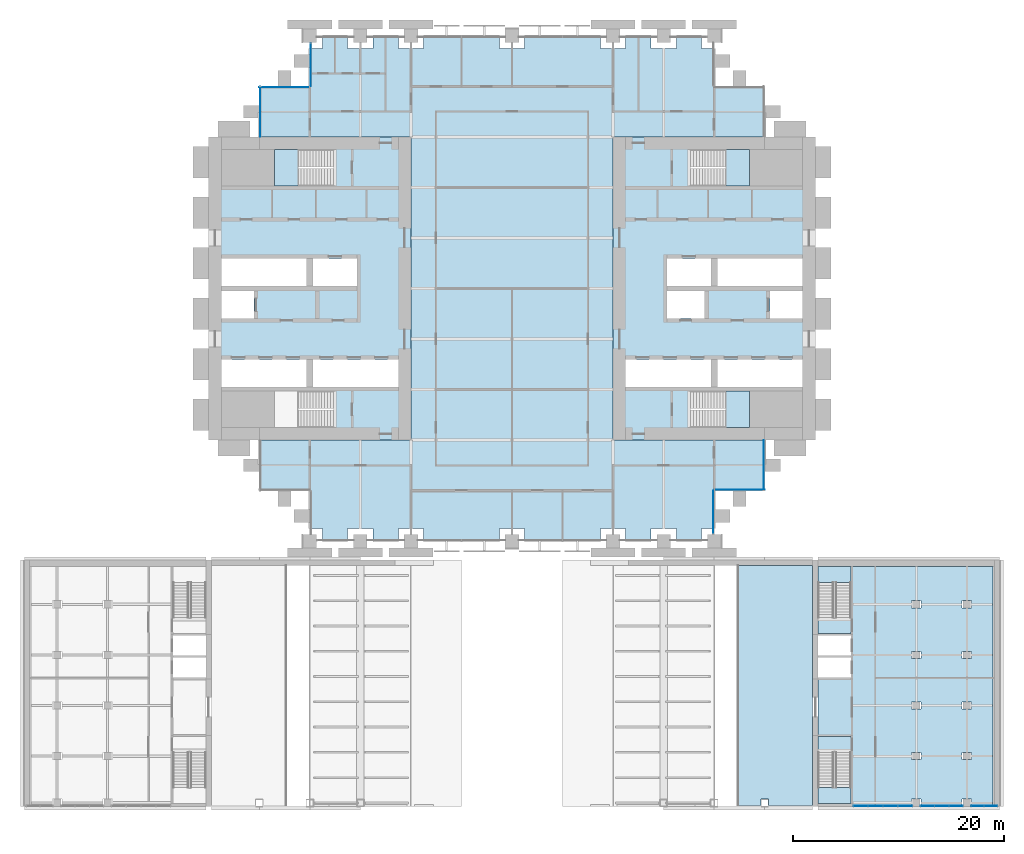
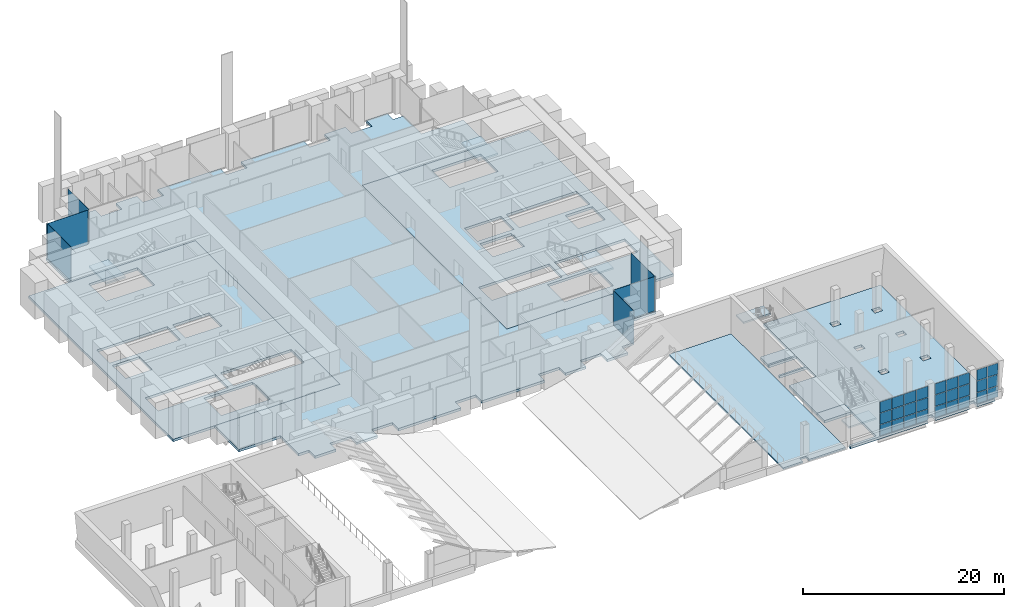
# One storey, part 18 of 32: 33 plates, 12 slabs, 14 elements without a shape of their own.
"""IFC4 building model written with IfcOpenShell, lengths in metres."""

from ifc_helpers import new_model, si_unit, direction, frame, origin, origin_2d, place, context, subcontext, project, spatial, polyline, rectangle, outline, extrude, material, layer, layer_set, type_object, element, aggregate, save


model = new_model("IFC4")

# Units and contexts
model_context = context("Model", 3, precision=1e-05, world=origin(), true_north=direction((0.0, 1.0)))
body_context = subcontext(model_context, "Body", "Model", "MODEL_VIEW")
ifc_project = project(units=[si_unit("LENGTHUNIT", "METRE"), si_unit("AREAUNIT", "SQUARE_METRE"), si_unit("VOLUMEUNIT", "CUBIC_METRE"), si_unit("PLANEANGLEUNIT", "RADIAN"), si_unit("MASSUNIT", "GRAM", prefix="KILO")], contexts=[model_context])

# Site, building, storey
site_placement = place(None, origin())
site = spatial("IfcSite", under=ifc_project, at=site_placement, CompositionType="ELEMENT")
building_placement = place(site_placement, origin())
building = spatial("IfcBuilding", under=site, at=building_placement, Name="Baori Bourse Tower", CompositionType="ELEMENT")
storey_placement = place(building_placement, frame((0.0, 0.0, 12.60009765625)))
storey = spatial("IfcBuildingStorey", under=building, at=storey_placement, Name="L01", CompositionType="ELEMENT", Elevation=12.60009765625)

# Curtain wall, plate
ifc_material_1 = material(Name="Pale anodised aluminium", Category="aluminium")
curtain_wall_type_1 = type_object("IfcCurtainWallType", Name="CW2 Curtain wall", PredefinedType="NOTDEFINED", material=ifc_material_1)
curtain_wall_1_placement = place(storey_placement, origin())
curtain_wall_1 = element("IfcCurtainWall", 1, at=curtain_wall_1_placement, inside=storey, type_object=curtain_wall_type_1, Name="Curtain wall CW2 L01 5", PredefinedType="NOTDEFINED")
ifc_material_2 = material(Name="Clear glass", Category="glass")
ifc_layer_1 = layer(ifc_material_2, 0.030029296875)
ifc_layer_set_1 = layer_set([ifc_layer_1], Name="CW2 Curtain wall panel")
plate_type_1 = type_object("IfcPlateType", Name="CW2 Curtain wall panel", PredefinedType="CURTAIN_PANEL", material=ifc_layer_set_1)
plate_1_placement = place(storey_placement, frame((9.68994140625, 45.24755859375, 0.06982421875), z_axis=(0.0, 0.0, 1.0), x_axis=(0.0, -1.0, 0.0)))
plate_1 = element("IfcPlate", 2, at=plate_1_placement, type_object=plate_type_1, Name="Curtain wall CW2 panel", PredefinedType="CURTAIN_PANEL", context=body_context, shape_type="SweptSolid", body=[
    extrude(rectangle(XDim=4.094970703125, YDim=0.030029296875, at=origin_2d()), origin(), (0.0, 0.0, 1.0), 4.169921875),
])
aggregate(curtain_wall_1, [plate_1])

curtain_wall_2_placement = place(storey_placement, origin())
curtain_wall_2 = element("IfcCurtainWall", 3, at=curtain_wall_2_placement, inside=storey, type_object=curtain_wall_type_1, Name="Curtain wall CW2 L01 6", PredefinedType="NOTDEFINED")
plate_2_placement = place(storey_placement, frame((7.172607421875, 43.110107421875, 0.06982421875), z_axis=(0.0, 0.0, 1.0), x_axis=(-1.0, 0.0, 0.0)))
plate_2 = element("IfcPlate", 4, at=plate_2_placement, type_object=plate_type_1, Name="Curtain wall CW2 panel", PredefinedType="CURTAIN_PANEL", context=body_context, shape_type="SweptSolid", body=[
    extrude(rectangle(XDim=4.7451171875, YDim=0.030029296875, at=origin_2d()), origin(), (0.0, 0.0, 1.0), 4.169921875),
])
aggregate(curtain_wall_2, [plate_2])

curtain_wall_3_placement = place(storey_placement, origin())
curtain_wall_3 = element("IfcCurtainWall", 5, at=curtain_wall_3_placement, inside=storey, type_object=curtain_wall_type_1, Name="Curtain wall CW2 L01 7", PredefinedType="NOTDEFINED")
plate_3_placement = place(storey_placement, frame((4.889892578125, 40.7724609375, 0.06982421875), z_axis=(0.0, 0.0, 1.0), x_axis=(0.0, -1.0, 0.0)))
plate_3 = element("IfcPlate", 6, at=plate_3_placement, type_object=plate_type_1, Name="Curtain wall CW2 panel", PredefinedType="CURTAIN_PANEL", context=body_context, shape_type="SweptSolid", body=[
    extrude(rectangle(XDim=4.7451171875, YDim=0.030029296875, at=origin_2d()), origin(), (0.0, 0.0, 1.0), 4.169921875),
])
aggregate(curtain_wall_3, [plate_3])

curtain_wall_4_placement = place(storey_placement, origin())
curtain_wall_4 = element("IfcCurtainWall", 7, at=curtain_wall_4_placement, inside=storey, type_object=curtain_wall_type_1, Name="Curtain wall CW2 L01 12", PredefinedType="NOTDEFINED")
plate_4_placement = place(storey_placement, frame((47.909912109375, 2.75244140625, 0.06982421875), z_axis=(0.0, 0.0, 1.0), x_axis=(0.0, 1.0, 0.0)))
plate_4 = element("IfcPlate", 8, at=plate_4_placement, type_object=plate_type_1, Name="Curtain wall CW2 panel", PredefinedType="CURTAIN_PANEL", context=body_context, shape_type="SweptSolid", body=[
    extrude(rectangle(XDim=4.094970703125, YDim=0.030029296875, at=origin_2d()), origin(), (0.0, 0.0, 1.0), 4.169921875),
])
aggregate(curtain_wall_4, [plate_4])

curtain_wall_5_placement = place(storey_placement, origin())
curtain_wall_5 = element("IfcCurtainWall", 9, at=curtain_wall_5_placement, inside=storey, type_object=curtain_wall_type_1, Name="Curtain wall CW2 L01 13", PredefinedType="NOTDEFINED")
plate_5_placement = place(storey_placement, frame((50.427490234375, 4.889892578125, 0.06982421875), z_axis=(0.0, 0.0, 1.0), x_axis=(1.0, 0.0, 0.0)))
plate_5 = element("IfcPlate", 10, at=plate_5_placement, type_object=plate_type_1, Name="Curtain wall CW2 panel", PredefinedType="CURTAIN_PANEL", context=body_context, shape_type="SweptSolid", body=[
    extrude(rectangle(XDim=4.7451171875, YDim=0.030029296875, at=origin_2d()), origin(), (0.0, 0.0, 1.0), 4.169921875),
])
aggregate(curtain_wall_5, [plate_5])

curtain_wall_6_placement = place(storey_placement, origin())
curtain_wall_6 = element("IfcCurtainWall", 11, at=curtain_wall_6_placement, inside=storey, type_object=curtain_wall_type_1, Name="Curtain wall CW2 L01 14", PredefinedType="NOTDEFINED")
plate_6_placement = place(storey_placement, frame((52.7099609375, 7.2275390625, 0.06982421875), z_axis=(0.0, 0.0, 1.0), x_axis=(0.0, 1.0, 0.0)))
plate_6 = element("IfcPlate", 12, at=plate_6_placement, type_object=plate_type_1, Name="Curtain wall CW2 panel", PredefinedType="CURTAIN_PANEL", context=body_context, shape_type="SweptSolid", body=[
    extrude(rectangle(XDim=4.7451171875, YDim=0.030029296875, at=origin_2d()), origin(), (0.0, 0.0, 1.0), 4.169921875),
])
aggregate(curtain_wall_6, [plate_6])

# Slabs
ifc_material_3 = material(Name="Concrete f'c 50 MPa", Category="concrete")
ifc_layer_2 = layer(ifc_material_3, 0.300048828125)
ifc_layer_set_2 = layer_set([ifc_layer_2], Name="Core slab 300")
slab_type_1 = type_object("IfcSlabType", Name="Core slab 300", PredefinedType="FLOOR", material=ifc_layer_set_2)
slab_1_placement = place(storey_placement, frame((0.0, 0.0, -0.300048828125)))
element("IfcSlab", 13, at=slab_1_placement, inside=storey, type_object=slab_type_1, Name="Core floor slab W01", PredefinedType="FLOOR", context=body_context, shape_type="SweptSolid", body=[
    extrude(outline(polyline([(19.199951171875, 38.39990234375), (0.0, 38.39990234375), (0.0, 9.60009765625), (19.199951171875, 9.60009765625), (19.199951171875, 38.39990234375)]), holes=[polyline([(9.89990234375, 17.25), (18.0, 17.25), (18.0, 14.64990234375), (9.89990234375, 14.64990234375), (9.89990234375, 17.25)]), polyline([(9.89990234375, 24.25), (9.89990234375, 26.85009765625), (14.10009765625, 26.85009765625), (14.10009765625, 24.25), (9.89990234375, 24.25)]), polyline([(6.25, 14.25), (11.84912109375, 14.25), (11.84912109375, 10.800048828125), (6.25, 10.800048828125), (6.25, 14.25)]), polyline([(11.84912109375, 37.199951171875), (11.84912109375, 33.75), (6.25, 33.75), (6.25, 37.199951171875), (11.84912109375, 37.199951171875)]), polyline([(1.199951171875, 14.64990234375), (1.199951171875, 17.25), (9.300048828125, 17.25), (9.300048828125, 14.64990234375), (1.199951171875, 14.64990234375)]), polyline([(9.300048828125, 26.85009765625), (9.300048828125, 24.25), (1.199951171875, 24.25), (1.199951171875, 26.85009765625), (9.300048828125, 26.85009765625)]), polyline([(4.300048828125, 21.14990234375), (1.199951171875, 21.14990234375), (1.199951171875, 23.75), (4.300048828125, 23.75), (4.300048828125, 21.14990234375)])]), origin(), (0.0, 0.0, 1.0), 0.300048828125),
])
slab_2_placement = place(storey_placement, frame((0.0, 0.0, -0.300048828125)))
element("IfcSlab", 14, at=slab_2_placement, inside=storey, type_object=slab_type_1, Name="Core floor slab E01", PredefinedType="FLOOR", context=body_context, shape_type="SweptSolid", body=[
    extrude(outline(polyline([(38.39990234375, 9.60009765625), (57.60009765625, 9.60009765625), (57.60009765625, 38.39990234375), (38.39990234375, 38.39990234375), (38.39990234375, 9.60009765625)]), holes=[polyline([(48.300048828125, 14.64990234375), (48.300048828125, 17.25), (56.39990234375, 17.25), (56.39990234375, 14.64990234375), (48.300048828125, 14.64990234375)]), polyline([(56.39990234375, 21.14990234375), (53.300048828125, 21.14990234375), (53.300048828125, 23.75), (56.39990234375, 23.75), (56.39990234375, 21.14990234375)]), polyline([(56.39990234375, 26.85009765625), (56.39990234375, 24.25), (48.300048828125, 24.25), (48.300048828125, 26.85009765625), (56.39990234375, 26.85009765625)]), polyline([(45.750732421875, 14.25), (51.35009765625, 14.25), (51.35009765625, 10.800048828125), (45.750732421875, 10.800048828125), (45.750732421875, 14.25)]), polyline([(51.35009765625, 37.199951171875), (51.35009765625, 33.75), (45.750732421875, 33.75), (45.750732421875, 37.199951171875), (51.35009765625, 37.199951171875)]), polyline([(39.60009765625, 17.25), (47.699951171875, 17.25), (47.699951171875, 14.64990234375), (39.60009765625, 14.64990234375), (39.60009765625, 17.25)]), polyline([(43.5, 24.25), (43.5, 26.85009765625), (47.699951171875, 26.85009765625), (47.699951171875, 24.25), (43.5, 24.25)]), polyline([(43.5, 23.75), (47.10009765625, 23.75), (47.10009765625, 21.14990234375), (43.5, 21.14990234375), (43.5, 23.75)])]), origin(), (0.0, 0.0, 1.0), 0.300048828125),
])

# Stair, slab
ifc_material_4 = material(Name="Concrete f'c 50 MPa", Category="concrete")
stair_type_1 = type_object("IfcStairType", Name="Core stair", PredefinedType="HALF_TURN_STAIR", material=ifc_material_4)
stair_1_placement = place(storey_placement, origin())
stair_1 = element("IfcStair", 15, at=stair_1_placement, inside=storey, type_object=stair_type_1, Name="L01 Stair WB", PredefinedType="HALF_TURN_STAIR")
ifc_material_5 = material(Name="Concrete f'c 50 MPa", Category="concrete")
slab_type_2 = type_object("IfcSlabType", Name="Core stair landing", PredefinedType="LANDING", material=ifc_material_5)
slab_3_placement = place(storey_placement, frame((0.0, 0.0, 2.0)))
slab_3 = element("IfcSlab", 16, at=slab_3_placement, type_object=slab_type_2, Name="ST2 landing 1", PredefinedType="LANDING", context=body_context, shape_type="SweptSolid", body=[
    extrude(outline(polyline([(8.489990234375, 37.199951171875), (6.25, 37.199951171875), (6.25, 33.75), (8.489990234375, 33.75), (8.489990234375, 37.199951171875)])), origin(), (0.0, 0.0, 1.0), 0.199951171875),
])
aggregate(stair_1, [slab_3])

stair_2_placement = place(storey_placement, origin())
stair_2 = element("IfcStair", 17, at=stair_2_placement, inside=storey, type_object=stair_type_1, Name="L01 Stair EA", PredefinedType="HALF_TURN_STAIR")
slab_4_placement = place(storey_placement, frame((0.0, 0.0, 2.0)))
slab_4 = element("IfcSlab", 18, at=slab_4_placement, type_object=slab_type_2, Name="ST3 landing 1", PredefinedType="LANDING", context=body_context, shape_type="SweptSolid", body=[
    extrude(outline(polyline([(49.110107421875, 10.800048828125), (51.35009765625, 10.800048828125), (51.35009765625, 14.25), (49.110107421875, 14.25), (49.110107421875, 10.800048828125)])), origin(), (0.0, 0.0, 1.0), 0.199951171875),
])
aggregate(stair_2, [slab_4])

stair_3_placement = place(storey_placement, origin())
stair_3 = element("IfcStair", 19, at=stair_3_placement, inside=storey, type_object=stair_type_1, Name="L01 Stair EB", PredefinedType="HALF_TURN_STAIR")
slab_5_placement = place(storey_placement, frame((0.0, 0.0, 2.0)))
slab_5 = element("IfcSlab", 20, at=slab_5_placement, type_object=slab_type_2, Name="ST4 landing 1", PredefinedType="LANDING", context=body_context, shape_type="SweptSolid", body=[
    extrude(outline(polyline([(49.110107421875, 33.75), (51.35009765625, 33.75), (51.35009765625, 37.199951171875), (49.110107421875, 37.199951171875), (49.110107421875, 33.75)])), origin(), (0.0, 0.0, 1.0), 0.199951171875),
])
aggregate(stair_3, [slab_5])

ifc_material_6 = material(Name="Concrete f'c 40 MPa", Category="concrete")
stair_type_2 = type_object("IfcStairType", Name="Wing exit stair 1500", PredefinedType="HALF_TURN_STAIR", material=ifc_material_6)
stair_4_placement = place(storey_placement, origin())
stair_4 = element("IfcStair", 21, at=stair_4_placement, inside=storey, type_object=stair_type_2, Name="L01 Exit stair EA", PredefinedType="HALF_TURN_STAIR")
ifc_material_7 = material(Name="Concrete f'c 40 MPa", Category="concrete")
ifc_layer_3 = layer(ifc_material_7, 0.300048828125)
ifc_layer_set_3 = layer_set([ifc_layer_3], Name="Exit stair arrival landing 300")
slab_type_3 = type_object("IfcSlabType", Name="Exit stair arrival landing 300", PredefinedType="LANDING", material=ifc_layer_set_3)
slab_6_placement = place(storey_placement, frame((0.0, 0.0, -0.300048828125)))
slab_6 = element("IfcSlab", 22, at=slab_6_placement, type_object=slab_type_3, Name="L01 exit stair EA arrival landing", PredefinedType="LANDING", context=body_context, shape_type="SweptSolid", body=[
    extrude(outline(polyline([(61.0, -7.258544921875), (57.85009765625, -7.258544921875), (57.85009765625, -8.760009765625), (61.0, -8.760009765625), (61.0, -7.258544921875)])), origin(), (0.0, 0.0, 1.0), 0.300048828125),
])

stair_5_placement = place(storey_placement, origin())
stair_5 = element("IfcStair", 23, at=stair_5_placement, inside=storey, type_object=stair_type_2, Name="L01 Exit stair EB", PredefinedType="HALF_TURN_STAIR")
slab_7_placement = place(storey_placement, frame((0.0, 0.0, -0.300048828125)))
slab_7 = element("IfcSlab", 24, at=slab_7_placement, type_object=slab_type_3, Name="L01 exit stair EB arrival landing", PredefinedType="LANDING", context=body_context, shape_type="SweptSolid", body=[
    extrude(outline(polyline([(57.85009765625, -20.04150390625), (61.0, -20.04150390625), (61.0, -18.5400390625), (57.85009765625, -18.5400390625), (57.85009765625, -20.04150390625)])), origin(), (0.0, 0.0, 1.0), 0.300048828125),
])

# Slabs
ifc_material_8 = material(Name="Concrete f'c 40 MPa", Category="concrete")
ifc_layer_4 = layer(ifc_material_8, 0.300048828125)
ifc_layer_set_4 = layer_set([ifc_layer_4], Name="Floor slab 300")
slab_type_4 = type_object("IfcSlabType", Name="Floor slab 300", PredefinedType="FLOOR", material=ifc_layer_set_4)
slab_8_placement = place(storey_placement, frame((0.0, 0.0, -0.300048828125)))
element("IfcSlab", 25, at=slab_8_placement, inside=storey, type_object=slab_type_4, Name="Floor slab L01", PredefinedType="FLOOR", context=body_context, shape_type="SweptSolid", body=[
    extrude(outline(polyline([(9.60009765625, 4.800048828125), (4.800048828125, 4.800048828125), (4.800048828125, 9.60009765625), (19.199951171875, 9.60009765625), (19.199951171875, 38.39990234375), (4.800048828125, 38.39990234375), (4.800048828125, 43.199951171875), (9.60009765625, 43.199951171875), (9.60009765625, 46.800048828125), (10.800048828125, 46.800048828125), (10.800048828125, 48.0), (13.199951171875, 48.0), (13.199951171875, 46.800048828125), (15.60009765625, 46.800048828125), (15.60009765625, 48.0), (18.0, 48.0), (18.0, 46.800048828125), (20.39990234375, 46.800048828125), (20.39990234375, 48.0), (27.60009765625, 48.0), (27.60009765625, 46.800048828125), (30.0, 46.800048828125), (30.0, 48.0), (37.199951171875, 48.0), (37.199951171875, 46.800048828125), (39.60009765625, 46.800048828125), (39.60009765625, 48.0), (42.0, 48.0), (42.0, 46.800048828125), (44.39990234375, 46.800048828125), (44.39990234375, 48.0), (46.800048828125, 48.0), (46.800048828125, 46.800048828125), (48.0, 46.800048828125), (48.0, 43.199951171875), (52.800048828125, 43.199951171875), (52.800048828125, 38.39990234375), (38.39990234375, 38.39990234375), (38.39990234375, 9.60009765625), (52.800048828125, 9.60009765625), (52.800048828125, 4.800048828125), (48.0, 4.800048828125), (48.0, 1.199951171875), (46.800048828125, 1.199951171875), (46.800048828125, 0.0), (44.39990234375, 0.0), (44.39990234375, 1.199951171875), (42.0, 1.199951171875), (42.0, 0.0), (39.60009765625, 0.0), (39.60009765625, 1.199951171875), (37.199951171875, 1.199951171875), (37.199951171875, 0.0), (30.0, 0.0), (30.0, 1.199951171875), (27.60009765625, 1.199951171875), (27.60009765625, 0.0), (20.39990234375, 0.0), (20.39990234375, 1.199951171875), (18.0, 1.199951171875), (18.0, 0.0), (15.60009765625, 0.0), (15.60009765625, 1.199951171875), (13.199951171875, 1.199951171875), (13.199951171875, 0.0), (10.800048828125, 0.0), (10.800048828125, 1.199951171875), (9.60009765625, 1.199951171875), (9.60009765625, 4.800048828125)])), origin(), (0.0, 0.0, 1.0), 0.300048828125),
])
ifc_material_9 = material(Name="Concrete f'c 40 MPa", Category="concrete")
ifc_layer_5 = layer(ifc_material_9, 0.199951171875)
ifc_layer_set_5 = layer_set([ifc_layer_5], Name="Gallery slab 200")
slab_type_5 = type_object("IfcSlabType", Name="Gallery slab 200", PredefinedType="FLOOR", material=ifc_layer_set_5)
slab_9_placement = place(storey_placement, frame((0.0, 0.0, -0.2001953125)))
element("IfcSlab", 26, at=slab_9_placement, inside=storey, type_object=slab_type_5, Name="wing/L01/gallery/002", PredefinedType="FLOOR", context=body_context, shape_type="SweptSolid", body=[
    extrude(outline(polyline([(57.35009765625, -25.10009765625), (57.35009765625, -2.300048828125), (50.199951171875, -2.300048828125), (50.199951171875, -25.10009765625), (52.449951171875, -25.10009765625), (52.449951171875, -24.5), (53.14990234375, -24.5), (53.14990234375, -25.10009765625), (57.35009765625, -25.10009765625)])), origin(), (0.0, 0.0, 1.0), 0.2001953125),
])
ifc_material_10 = material(Name="Concrete f'c 40 MPa", Category="concrete")
ifc_layer_6 = layer(ifc_material_10, 0.300048828125)
ifc_layer_set_6 = layer_set([ifc_layer_6], Name="Wing floor slab 300")
slab_type_6 = type_object("IfcSlabType", Name="Wing floor slab 300", PredefinedType="FLOOR", material=ifc_layer_set_6)
slab_10_placement = place(storey_placement, frame((0.0, 0.0, -0.300048828125)))
element("IfcSlab", 27, at=slab_10_placement, inside=storey, type_object=slab_type_6, Name="wing/L01/Efloor/001", PredefinedType="FLOOR", context=body_context, shape_type="SweptSolid", body=[
    extrude(outline(polyline([(61.0, -10.860107421875), (57.85009765625, -10.860107421875), (57.85009765625, -11.06005859375), (61.0, -11.06005859375), (61.0, -12.9599609375), (57.85009765625, -12.9599609375), (57.85009765625, -18.5400390625), (61.0, -18.5400390625), (61.0, -24.89990234375), (57.85009765625, -24.89990234375), (57.85009765625, -25.199951171875), (66.75, -25.199951171875), (66.75, -24.5), (67.64990234375, -24.5), (67.64990234375, -25.199951171875), (71.550048828125, -25.199951171875), (71.550048828125, -24.5), (72.449951171875, -24.5), (72.449951171875, -25.199951171875), (74.4736328125, -25.199951171875), (74.4736328125, -2.39990234375), (61.0, -2.39990234375), (61.0, -8.760009765625), (57.85009765625, -8.760009765625), (57.85009765625, -8.9599609375), (61.0, -8.9599609375), (61.0, -10.860107421875)]), holes=[polyline([(71.550048828125, -20.050048828125), (71.550048828125, -20.75), (72.449951171875, -20.75), (72.449951171875, -20.050048828125), (71.550048828125, -20.050048828125)]), polyline([(71.550048828125, -15.949951171875), (72.449951171875, -15.949951171875), (72.449951171875, -15.25), (71.550048828125, -15.25), (71.550048828125, -15.949951171875)]), polyline([(72.449951171875, -11.14990234375), (72.449951171875, -10.449951171875), (71.550048828125, -10.449951171875), (71.550048828125, -11.14990234375), (72.449951171875, -11.14990234375)]), polyline([(72.449951171875, -5.64990234375), (71.550048828125, -5.64990234375), (71.550048828125, -6.35009765625), (72.449951171875, -6.35009765625), (72.449951171875, -5.64990234375)]), polyline([(66.75, -20.75), (67.64990234375, -20.75), (67.64990234375, -20.050048828125), (66.75, -20.050048828125), (66.75, -20.75)]), polyline([(67.64990234375, -15.949951171875), (67.64990234375, -15.25), (66.75, -15.25), (66.75, -15.949951171875), (67.64990234375, -15.949951171875)]), polyline([(67.64990234375, -10.449951171875), (66.75, -10.449951171875), (66.75, -11.14990234375), (67.64990234375, -11.14990234375), (67.64990234375, -10.449951171875)]), polyline([(66.75, -5.64990234375), (66.75, -6.35009765625), (67.64990234375, -6.35009765625), (67.64990234375, -5.64990234375), (66.75, -5.64990234375)])]), origin(), (0.0, 0.0, 1.0), 0.300048828125),
])

# Curtain wall, plates
ifc_material_11 = material(Name="Pale anodised aluminium", Category="aluminium")
ifc_layer_7 = layer(ifc_material_11, 0.10009765625)
ifc_layer_set_7 = layer_set([ifc_layer_7], Name="Wing curtain wall")
curtain_wall_type_2 = type_object("IfcCurtainWallType", Name="Wing curtain wall", PredefinedType="NOTDEFINED", material=ifc_layer_set_7)
curtain_wall_7_placement = place(storey_placement, origin())
curtain_wall_7 = element("IfcCurtainWall", 28, at=curtain_wall_7_placement, inside=storey, type_object=curtain_wall_type_2, Name="wing/L01/Ecw/001", PredefinedType="NOTDEFINED")
ifc_material_12 = material(Name="Clear glass", Category="glass")
ifc_layer_8 = layer(ifc_material_12, 0.028076171875)
ifc_layer_set_8 = layer_set([ifc_layer_8], Name="Wing glass panel 28")
plate_type_2 = type_object("IfcPlateType", Name="Wing glass panel 28", PredefinedType="CURTAIN_PANEL", material=ifc_layer_set_8)
plate_7_placement = place(storey_placement, frame((73.009033203125, -25.14990234375, 0.06005859375), z_axis=(0.0, 0.0, 1.0), x_axis=(1.0, 0.0, 0.0)))
plate_7 = element("IfcPlate", 29, at=plate_7_placement, type_object=plate_type_2, Name="X12 panel 1.1", PredefinedType="CURTAIN_PANEL", context=body_context, shape_type="SweptSolid", body=[
    extrude(rectangle(XDim=1.197998046875, YDim=0.028076171875, at=origin_2d()), origin(), (0.0, 0.0, 1.0), 1.3232421875),
])
plate_8_placement = place(storey_placement, frame((73.009033203125, -25.14990234375, 1.443359375), z_axis=(0.0, 0.0, 1.0), x_axis=(1.0, 0.0, 0.0)))
plate_8 = element("IfcPlate", 30, at=plate_8_placement, type_object=plate_type_2, Name="X12 panel 1.2", PredefinedType="CURTAIN_PANEL", context=body_context, shape_type="SweptSolid", body=[
    extrude(rectangle(XDim=1.197998046875, YDim=0.028076171875, at=origin_2d()), origin(), (0.0, 0.0, 1.0), 1.353271484375),
])
plate_9_placement = place(storey_placement, frame((73.009033203125, -25.14990234375, 2.856689453125), z_axis=(0.0, 0.0, 1.0), x_axis=(1.0, 0.0, 0.0)))
plate_9 = element("IfcPlate", 31, at=plate_9_placement, type_object=plate_type_2, Name="X12 panel 1.3", PredefinedType="CURTAIN_PANEL", context=body_context, shape_type="SweptSolid", body=[
    extrude(rectangle(XDim=1.197998046875, YDim=0.028076171875, at=origin_2d()), origin(), (0.0, 0.0, 1.0), 1.3232421875),
])
plate_10_placement = place(storey_placement, frame((74.26708984375, -25.14990234375, 0.06005859375), z_axis=(0.0, 0.0, 1.0), x_axis=(1.0, 0.0, 0.0)))
plate_10 = element("IfcPlate", 32, at=plate_10_placement, type_object=plate_type_2, Name="X12 panel 2.1", PredefinedType="CURTAIN_PANEL", context=body_context, shape_type="SweptSolid", body=[
    extrude(rectangle(XDim=1.197998046875, YDim=0.028076171875, at=origin_2d()), origin(), (0.0, 0.0, 1.0), 1.3232421875),
])
plate_11_placement = place(storey_placement, frame((74.26708984375, -25.14990234375, 1.443359375), z_axis=(0.0, 0.0, 1.0), x_axis=(1.0, 0.0, 0.0)))
plate_11 = element("IfcPlate", 33, at=plate_11_placement, type_object=plate_type_2, Name="X12 panel 2.2", PredefinedType="CURTAIN_PANEL", context=body_context, shape_type="SweptSolid", body=[
    extrude(rectangle(XDim=1.197998046875, YDim=0.028076171875, at=origin_2d()), origin(), (0.0, 0.0, 1.0), 1.353271484375),
])
plate_12_placement = place(storey_placement, frame((74.26708984375, -25.14990234375, 2.856689453125), z_axis=(0.0, 0.0, 1.0), x_axis=(1.0, 0.0, 0.0)))
plate_12 = element("IfcPlate", 34, at=plate_12_placement, type_object=plate_type_2, Name="X12 panel 2.3", PredefinedType="CURTAIN_PANEL", context=body_context, shape_type="SweptSolid", body=[
    extrude(rectangle(XDim=1.197998046875, YDim=0.028076171875, at=origin_2d()), origin(), (0.0, 0.0, 1.0), 1.3232421875),
])
aggregate(curtain_wall_7, [plate_7, plate_8, plate_9, plate_10, plate_11, plate_12])

curtain_wall_8_placement = place(storey_placement, origin())
curtain_wall_8 = element("IfcCurtainWall", 35, at=curtain_wall_8_placement, inside=storey, type_object=curtain_wall_type_2, Name="wing/L01/Ecw/002", PredefinedType="NOTDEFINED")
plate_13_placement = place(storey_placement, frame((68.248291015625, -25.14990234375, 0.06005859375), z_axis=(0.0, 0.0, 1.0), x_axis=(1.0, 0.0, 0.0)))
plate_13 = element("IfcPlate", 36, at=plate_13_placement, type_object=plate_type_2, Name="X12 panel 1.1", PredefinedType="CURTAIN_PANEL", context=body_context, shape_type="SweptSolid", body=[
    extrude(rectangle(XDim=1.276611328125, YDim=0.028076171875, at=origin_2d()), origin(), (0.0, 0.0, 1.0), 1.3232421875),
])
plate_14_placement = place(storey_placement, frame((68.248291015625, -25.14990234375, 1.443359375), z_axis=(0.0, 0.0, 1.0), x_axis=(1.0, 0.0, 0.0)))
plate_14 = element("IfcPlate", 37, at=plate_14_placement, type_object=plate_type_2, Name="X12 panel 1.2", PredefinedType="CURTAIN_PANEL", context=body_context, shape_type="SweptSolid", body=[
    extrude(rectangle(XDim=1.276611328125, YDim=0.028076171875, at=origin_2d()), origin(), (0.0, 0.0, 1.0), 1.353271484375),
])
plate_15_placement = place(storey_placement, frame((68.248291015625, -25.14990234375, 2.856689453125), z_axis=(0.0, 0.0, 1.0), x_axis=(1.0, 0.0, 0.0)))
plate_15 = element("IfcPlate", 38, at=plate_15_placement, type_object=plate_type_2, Name="X12 panel 1.3", PredefinedType="CURTAIN_PANEL", context=body_context, shape_type="SweptSolid", body=[
    extrude(rectangle(XDim=1.276611328125, YDim=0.028076171875, at=origin_2d()), origin(), (0.0, 0.0, 1.0), 1.3232421875),
])
plate_16_placement = place(storey_placement, frame((69.60009765625, -25.14990234375, 0.06005859375), z_axis=(0.0, 0.0, 1.0), x_axis=(1.0, 0.0, 0.0)))
plate_16 = element("IfcPlate", 39, at=plate_16_placement, type_object=plate_type_2, Name="X12 panel 2.1", PredefinedType="CURTAIN_PANEL", context=body_context, shape_type="SweptSolid", body=[
    extrude(rectangle(XDim=1.306640625, YDim=0.028076171875, at=origin_2d()), origin(), (0.0, 0.0, 1.0), 1.3232421875),
])
plate_17_placement = place(storey_placement, frame((69.60009765625, -25.14990234375, 1.443359375), z_axis=(0.0, 0.0, 1.0), x_axis=(1.0, 0.0, 0.0)))
plate_17 = element("IfcPlate", 40, at=plate_17_placement, type_object=plate_type_2, Name="X12 panel 2.2", PredefinedType="CURTAIN_PANEL", context=body_context, shape_type="SweptSolid", body=[
    extrude(rectangle(XDim=1.306640625, YDim=0.028076171875, at=origin_2d()), origin(), (0.0, 0.0, 1.0), 1.353271484375),
])
plate_18_placement = place(storey_placement, frame((69.60009765625, -25.14990234375, 2.856689453125), z_axis=(0.0, 0.0, 1.0), x_axis=(1.0, 0.0, 0.0)))
plate_18 = element("IfcPlate", 41, at=plate_18_placement, type_object=plate_type_2, Name="X12 panel 2.3", PredefinedType="CURTAIN_PANEL", context=body_context, shape_type="SweptSolid", body=[
    extrude(rectangle(XDim=1.306640625, YDim=0.028076171875, at=origin_2d()), origin(), (0.0, 0.0, 1.0), 1.3232421875),
])
plate_19_placement = place(storey_placement, frame((70.95166015625, -25.14990234375, 0.06005859375), z_axis=(0.0, 0.0, 1.0), x_axis=(1.0, 0.0, 0.0)))
plate_19 = element("IfcPlate", 42, at=plate_19_placement, type_object=plate_type_2, Name="X12 panel 3.1", PredefinedType="CURTAIN_PANEL", context=body_context, shape_type="SweptSolid", body=[
    extrude(rectangle(XDim=1.276611328125, YDim=0.028076171875, at=origin_2d()), origin(), (0.0, 0.0, 1.0), 1.3232421875),
])
plate_20_placement = place(storey_placement, frame((70.95166015625, -25.14990234375, 1.443359375), z_axis=(0.0, 0.0, 1.0), x_axis=(1.0, 0.0, 0.0)))
plate_20 = element("IfcPlate", 43, at=plate_20_placement, type_object=plate_type_2, Name="X12 panel 3.2", PredefinedType="CURTAIN_PANEL", context=body_context, shape_type="SweptSolid", body=[
    extrude(rectangle(XDim=1.276611328125, YDim=0.028076171875, at=origin_2d()), origin(), (0.0, 0.0, 1.0), 1.353271484375),
])
plate_21_placement = place(storey_placement, frame((70.95166015625, -25.14990234375, 2.856689453125), z_axis=(0.0, 0.0, 1.0), x_axis=(1.0, 0.0, 0.0)))
plate_21 = element("IfcPlate", 44, at=plate_21_placement, type_object=plate_type_2, Name="X12 panel 3.3", PredefinedType="CURTAIN_PANEL", context=body_context, shape_type="SweptSolid", body=[
    extrude(rectangle(XDim=1.276611328125, YDim=0.028076171875, at=origin_2d()), origin(), (0.0, 0.0, 1.0), 1.3232421875),
])
aggregate(curtain_wall_8, [plate_13, plate_14, plate_15, plate_16, plate_17, plate_18, plate_19, plate_20, plate_21])

curtain_wall_9_placement = place(storey_placement, origin())
curtain_wall_9 = element("IfcCurtainWall", 45, at=curtain_wall_9_placement, inside=storey, type_object=curtain_wall_type_2, Name="wing/L01/Ecw/003", PredefinedType="NOTDEFINED")
plate_22_placement = place(storey_placement, frame((61.921142578125, -25.14990234375, 0.06005859375), z_axis=(0.0, 0.0, 1.0), x_axis=(1.0, 0.0, 0.0)))
plate_22 = element("IfcPlate", 46, at=plate_22_placement, type_object=plate_type_2, Name="X12 panel 1.1", PredefinedType="CURTAIN_PANEL", context=body_context, shape_type="SweptSolid", body=[
    extrude(rectangle(XDim=1.322509765625, YDim=0.028076171875, at=origin_2d()), origin(), (0.0, 0.0, 1.0), 1.3232421875),
])
plate_23_placement = place(storey_placement, frame((61.921142578125, -25.14990234375, 1.443359375), z_axis=(0.0, 0.0, 1.0), x_axis=(1.0, 0.0, 0.0)))
plate_23 = element("IfcPlate", 47, at=plate_23_placement, type_object=plate_type_2, Name="X12 panel 1.2", PredefinedType="CURTAIN_PANEL", context=body_context, shape_type="SweptSolid", body=[
    extrude(rectangle(XDim=1.322509765625, YDim=0.028076171875, at=origin_2d()), origin(), (0.0, 0.0, 1.0), 1.353271484375),
])
plate_24_placement = place(storey_placement, frame((61.921142578125, -25.14990234375, 2.856689453125), z_axis=(0.0, 0.0, 1.0), x_axis=(1.0, 0.0, 0.0)))
plate_24 = element("IfcPlate", 48, at=plate_24_placement, type_object=plate_type_2, Name="X12 panel 1.3", PredefinedType="CURTAIN_PANEL", context=body_context, shape_type="SweptSolid", body=[
    extrude(rectangle(XDim=1.322509765625, YDim=0.028076171875, at=origin_2d()), origin(), (0.0, 0.0, 1.0), 1.3232421875),
])
plate_25_placement = place(storey_placement, frame((63.31884765625, -25.14990234375, 0.06005859375), z_axis=(0.0, 0.0, 1.0), x_axis=(1.0, 0.0, 0.0)))
plate_25 = element("IfcPlate", 49, at=plate_25_placement, type_object=plate_type_2, Name="X12 panel 2.1", PredefinedType="CURTAIN_PANEL", context=body_context, shape_type="SweptSolid", body=[
    extrude(rectangle(XDim=1.3525390625, YDim=0.028076171875, at=origin_2d()), origin(), (0.0, 0.0, 1.0), 1.3232421875),
])
plate_26_placement = place(storey_placement, frame((63.31884765625, -25.14990234375, 1.443359375), z_axis=(0.0, 0.0, 1.0), x_axis=(1.0, 0.0, 0.0)))
plate_26 = element("IfcPlate", 50, at=plate_26_placement, type_object=plate_type_2, Name="X12 panel 2.2", PredefinedType="CURTAIN_PANEL", context=body_context, shape_type="SweptSolid", body=[
    extrude(rectangle(XDim=1.3525390625, YDim=0.028076171875, at=origin_2d()), origin(), (0.0, 0.0, 1.0), 1.353271484375),
])
plate_27_placement = place(storey_placement, frame((63.31884765625, -25.14990234375, 2.856689453125), z_axis=(0.0, 0.0, 1.0), x_axis=(1.0, 0.0, 0.0)))
plate_27 = element("IfcPlate", 51, at=plate_27_placement, type_object=plate_type_2, Name="X12 panel 2.3", PredefinedType="CURTAIN_PANEL", context=body_context, shape_type="SweptSolid", body=[
    extrude(rectangle(XDim=1.3525390625, YDim=0.028076171875, at=origin_2d()), origin(), (0.0, 0.0, 1.0), 1.3232421875),
])
plate_28_placement = place(storey_placement, frame((64.731201171875, -25.14990234375, 0.06005859375), z_axis=(0.0, 0.0, 1.0), x_axis=(1.0, 0.0, 0.0)))
plate_28 = element("IfcPlate", 52, at=plate_28_placement, type_object=plate_type_2, Name="X12 panel 3.1", PredefinedType="CURTAIN_PANEL", context=body_context, shape_type="SweptSolid", body=[
    extrude(rectangle(XDim=1.3525390625, YDim=0.028076171875, at=origin_2d()), origin(), (0.0, 0.0, 1.0), 1.3232421875),
])
plate_29_placement = place(storey_placement, frame((64.731201171875, -25.14990234375, 1.443359375), z_axis=(0.0, 0.0, 1.0), x_axis=(1.0, 0.0, 0.0)))
plate_29 = element("IfcPlate", 53, at=plate_29_placement, type_object=plate_type_2, Name="X12 panel 3.2", PredefinedType="CURTAIN_PANEL", context=body_context, shape_type="SweptSolid", body=[
    extrude(rectangle(XDim=1.3525390625, YDim=0.028076171875, at=origin_2d()), origin(), (0.0, 0.0, 1.0), 1.353271484375),
])
plate_30_placement = place(storey_placement, frame((64.731201171875, -25.14990234375, 2.856689453125), z_axis=(0.0, 0.0, 1.0), x_axis=(1.0, 0.0, 0.0)))
plate_30 = element("IfcPlate", 54, at=plate_30_placement, type_object=plate_type_2, Name="X12 panel 3.3", PredefinedType="CURTAIN_PANEL", context=body_context, shape_type="SweptSolid", body=[
    extrude(rectangle(XDim=1.3525390625, YDim=0.028076171875, at=origin_2d()), origin(), (0.0, 0.0, 1.0), 1.3232421875),
])
plate_31_placement = place(storey_placement, frame((66.128662109375, -25.14990234375, 0.06005859375), z_axis=(0.0, 0.0, 1.0), x_axis=(1.0, 0.0, 0.0)))
plate_31 = element("IfcPlate", 55, at=plate_31_placement, type_object=plate_type_2, Name="X12 panel 4.1", PredefinedType="CURTAIN_PANEL", context=body_context, shape_type="SweptSolid", body=[
    extrude(rectangle(XDim=1.322509765625, YDim=0.028076171875, at=origin_2d()), origin(), (0.0, 0.0, 1.0), 1.3232421875),
])
plate_32_placement = place(storey_placement, frame((66.128662109375, -25.14990234375, 1.443359375), z_axis=(0.0, 0.0, 1.0), x_axis=(1.0, 0.0, 0.0)))
plate_32 = element("IfcPlate", 56, at=plate_32_placement, type_object=plate_type_2, Name="X12 panel 4.2", PredefinedType="CURTAIN_PANEL", context=body_context, shape_type="SweptSolid", body=[
    extrude(rectangle(XDim=1.322509765625, YDim=0.028076171875, at=origin_2d()), origin(), (0.0, 0.0, 1.0), 1.353271484375),
])
plate_33_placement = place(storey_placement, frame((66.128662109375, -25.14990234375, 2.856689453125), z_axis=(0.0, 0.0, 1.0), x_axis=(1.0, 0.0, 0.0)))
plate_33 = element("IfcPlate", 57, at=plate_33_placement, type_object=plate_type_2, Name="X12 panel 4.3", PredefinedType="CURTAIN_PANEL", context=body_context, shape_type="SweptSolid", body=[
    extrude(rectangle(XDim=1.322509765625, YDim=0.028076171875, at=origin_2d()), origin(), (0.0, 0.0, 1.0), 1.3232421875),
])
aggregate(curtain_wall_9, [plate_22, plate_23, plate_24, plate_25, plate_26, plate_27, plate_28, plate_29, plate_30, plate_31, plate_32, plate_33])

# Slab
ifc_material_13 = material(Name="Concrete f'c 40 MPa", Category="concrete")
ifc_layer_9 = layer(ifc_material_13, 0.199951171875)
ifc_layer_set_9 = layer_set([ifc_layer_9], Name="Wing stair landing 200")
slab_type_7 = type_object("IfcSlabType", Name="Wing stair landing 200", PredefinedType="LANDING", material=ifc_layer_set_9)
slab_11_placement = place(storey_placement, frame((0.0, 0.0, 2.0)))
slab_11 = element("IfcSlab", 58, at=slab_11_placement, type_object=slab_type_7, Name="E-STA landing 1", PredefinedType="LANDING", context=body_context, shape_type="SweptSolid", body=[
    extrude(outline(polyline([(61.0, -3.89990234375), (61.0, -2.39990234375), (57.85009765625, -2.39990234375), (57.85009765625, -3.89990234375), (61.0, -3.89990234375)])), origin(), (0.0, 0.0, 1.0), 0.199951171875),
])

aggregate(stair_4, [slab_11, slab_6])

slab_12_placement = place(storey_placement, frame((0.0, 0.0, 2.0)))
slab_12 = element("IfcSlab", 59, at=slab_12_placement, type_object=slab_type_7, Name="E-STB landing 1", PredefinedType="LANDING", context=body_context, shape_type="SweptSolid", body=[
    extrude(outline(polyline([(57.85009765625, -23.39990234375), (57.85009765625, -24.89990234375), (61.0, -24.89990234375), (61.0, -23.39990234375), (57.85009765625, -23.39990234375)])), origin(), (0.0, 0.0, 1.0), 0.199951171875),
])

aggregate(stair_5, [slab_12, slab_7])

save(model, "model.ifc")
